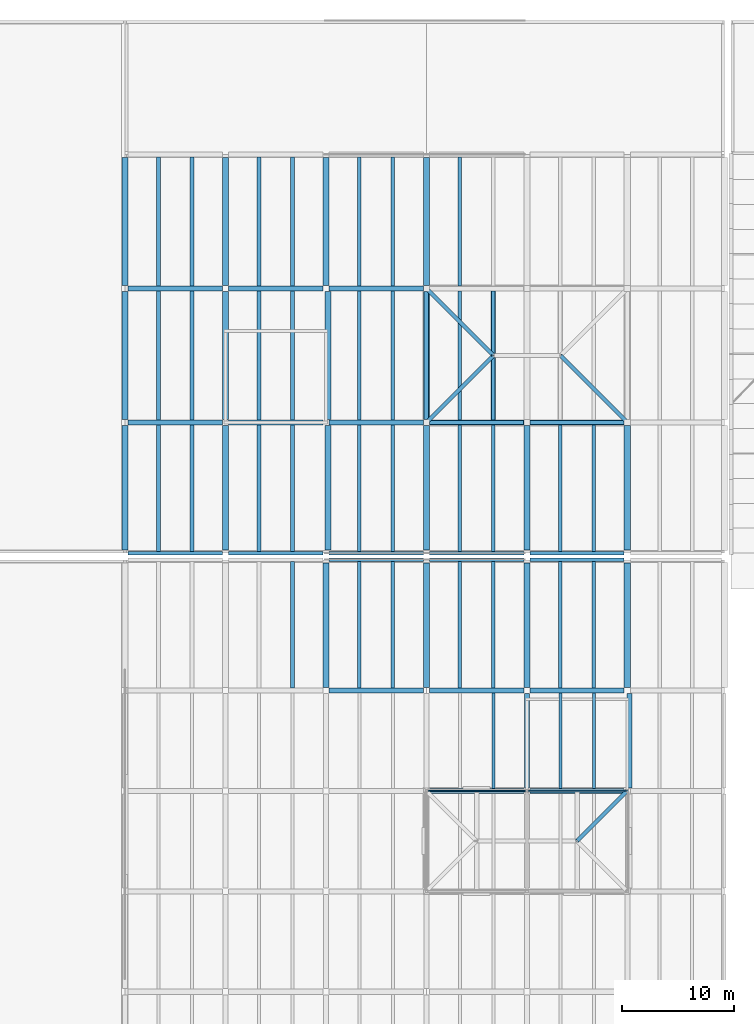
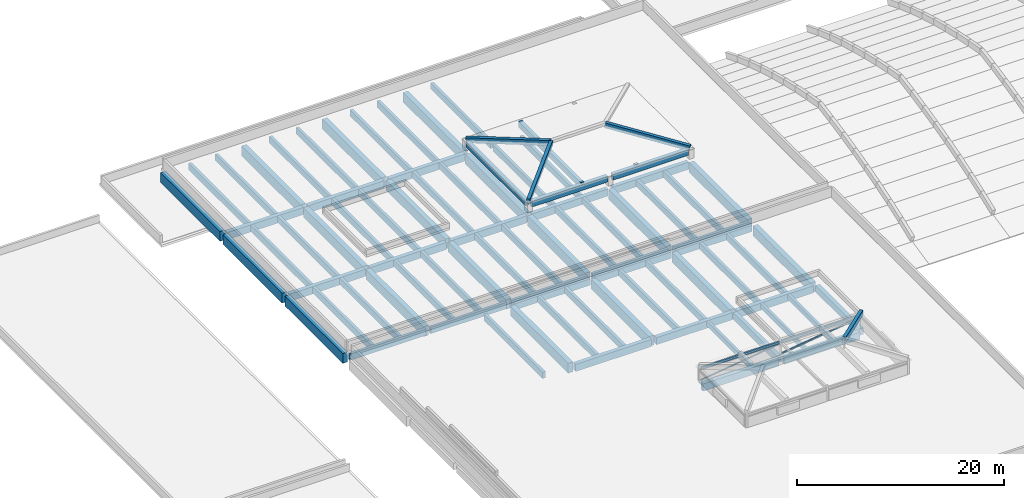
# One storey, part 16 of 56: 86 beams, 2 members.
"""IFC4 building model written with IfcOpenShell, lengths in metres."""

from ifc_helpers import new_model, si_unit, direction, frame, origin, origin_2d, place, context, subcontext, project, spatial, rectangle, hollow_rectangle, i_section, extrude, material, material_profile, profile_set, type_object, element, save


model = new_model("IFC4")

# Units and contexts
model_context = context("Model", 3, precision=1e-05, world=origin(), true_north=direction((0.0, 1.0)))
body_context = subcontext(model_context, "Body", "Model", "MODEL_VIEW")
ifc_project = project(units=[si_unit("LENGTHUNIT", "METRE"), si_unit("AREAUNIT", "SQUARE_METRE"), si_unit("VOLUMEUNIT", "CUBIC_METRE"), si_unit("PLANEANGLEUNIT", "RADIAN"), si_unit("MASSUNIT", "GRAM", prefix="KILO")], contexts=[model_context])

# Site, building, storey
site_placement = place(None, origin())
site = spatial("IfcSite", under=ifc_project, at=site_placement, CompositionType="ELEMENT")
building_placement = place(site_placement, origin())
building = spatial("IfcBuilding", under=site, at=building_placement, Name="Zacnel Wholesale Market", CompositionType="ELEMENT")
storey_placement = place(building_placement, frame((0.0, 0.0, 20.300048828125)))
storey = spatial("IfcBuildingStorey", under=building, at=storey_placement, Name="RF", CompositionType="ELEMENT", Elevation=20.300048828125)

# Beams
ifc_material_1 = material(Name="Concrete C40/50", Category="concrete")
ifc_material_profile_1 = material_profile(ifc_material_1, rectangle(XDim=0.35009765625, YDim=0.60009765625, at=origin_2d()), Name="ARCH RIB 350x600")
ifc_profile_set_1 = profile_set([ifc_material_profile_1], Name="Concrete C40/50")
beam_type_1 = type_object("IfcBeamType", Name="BM-AR600", PredefinedType="USERDEFINED", material=ifc_profile_set_1)
for number, where, z_axis, x_axis, name in (
    (1, (45.0, 108.0, 1.179931640625), (0.700140600607, 0.700140600607, 0.140022422363), (-0.707106781187, 0.707106781187, 0.0), "Hipped crown rib STR-ROOF-V3NLAN-1"),
    (2, (63.0, 108.0, 1.179931640625), (-0.700140600607, 0.700140600607, 0.140022422363), (-0.707106781187, -0.707106781187, 0.0), "Hipped crown rib STR-ROOF-V3NLAN-2"),
    (3, (45.0, 120.0, 1.179931640625), (0.700140600607, -0.700140600607, 0.140022422363), (0.707106781187, 0.707106781187, 0.0), "Hipped crown rib STR-ROOF-V3NLAN-4"),
):
    element("IfcBeam", number, at=place(storey_placement, frame(where, z_axis=z_axis, x_axis=x_axis)), inside=storey, type_object=beam_type_1, Name=name, ObjectType="ARCH RIB", PredefinedType="USERDEFINED", context=body_context, shape_type="SweptSolid", body=[
        extrude(rectangle(XDim=0.35009765625, YDim=0.60009765625, at=origin_2d()), origin(), (0.0, 0.0, 1.0), 8.56982421875),
    ])
beam_1_placement = place(storey_placement, frame((63.0, 75.0, 1.780029296875), z_axis=(-0.696777465186, -0.696777465186, 0.170300698821), x_axis=(0.707106781187, -0.707106781187, 0.0)))
element("IfcBeam", 4, at=beam_1_placement, inside=storey, type_object=beam_type_1, Name="Hipped crown rib STR-ROOF-V3-PENT-3", ObjectType="ARCH RIB", PredefinedType="USERDEFINED", context=body_context, shape_type="SweptSolid", body=[
    extrude(rectangle(XDim=0.35009765625, YDim=0.60009765625, at=origin_2d()), origin(), (0.0, 0.0, 1.0), 6.458251953125),
])
ifc_material_2 = material(Name="Precast concrete C45/55", Category="concrete")
ifc_material_profile_2 = material_profile(ifc_material_2, rectangle(XDim=0.280029296875, YDim=0.60009765625, at=origin_2d()), Name="DT RIB 280x600")
ifc_profile_set_2 = profile_set([ifc_material_profile_2], Name="Precast concrete C45/55")
beam_type_2 = type_object("IfcBeamType", Name="BM-DT600", PredefinedType="JOIST", material=ifc_profile_set_2)
for number, where, z_axis, x_axis, name in (
    (5, (51.0, 75.22509765625, -0.60009765625), (0.0, 1.0, 0.0), (-1.0, 0.0, 0.0), "Precast secondary joist RF-0896"),
    (6, (57.0, 75.22509765625, -0.60009765625), (0.0, 1.0, 0.0), (-1.0, 0.0, 0.0), "Precast secondary joist RF-0897"),
    (7, (60.0, 75.22509765625, -0.60009765625), (0.0, 1.0, 0.0), (-1.0, 0.0, 0.0), "Precast secondary joist RF-0898"),
):
    element("IfcBeam", number, at=place(storey_placement, frame(where, z_axis=z_axis, x_axis=x_axis)), inside=storey, type_object=beam_type_2, Name=name, PredefinedType="JOIST", context=body_context, shape_type="SweptSolid", body=[
        extrude(rectangle(XDim=0.280029296875, YDim=0.60009765625, at=origin_2d()), origin(), (0.0, 0.0, 1.0), 8.5498046875),
    ])
ifc_material_3 = material(Name="Precast concrete C45/55", Category="concrete")
ifc_material_profile_3 = material_profile(ifc_material_3, rectangle(XDim=0.320068359375, YDim=0.75, at=origin_2d()), Name="DT RIB 320x750")
ifc_profile_set_3 = profile_set([ifc_material_profile_3], Name="Precast concrete C45/55")
beam_type_3 = type_object("IfcBeamType", Name="BM-DT750", PredefinedType="JOIST", material=ifc_profile_set_3)
for number, where, z_axis, x_axis, name in (
    (8, (33.0, 84.22509765625, -0.675048828125), (0.0, 1.0, 0.0), (-1.0, 0.0, 0.0), "Precast secondary joist RF-0912"),
    (9, (39.0, 84.22509765625, -0.675048828125), (0.0, 1.0, 0.0), (-1.0, 0.0, 0.0), "Precast secondary joist RF-0913"),
    (10, (42.0, 84.22509765625, -0.675048828125), (0.0, 1.0, 0.0), (-1.0, 0.0, 0.0), "Precast secondary joist RF-0914"),
    (11, (48.0, 84.22509765625, -0.675048828125), (0.0, 1.0, 0.0), (-1.0, 0.0, 0.0), "Precast secondary joist RF-0915"),
    (12, (51.0, 84.22509765625, -0.675048828125), (0.0, 1.0, 0.0), (-1.0, 0.0, 0.0), "Precast secondary joist RF-0916"),
    (13, (57.0, 84.22509765625, -0.675048828125), (0.0, 1.0, 0.0), (-1.0, 0.0, 0.0), "Precast secondary joist RF-0917"),
    (14, (60.0, 84.22509765625, -0.675048828125), (0.0, 1.0, 0.0), (-1.0, 0.0, 0.0), "Precast secondary joist RF-0918"),
    (15, (21.0, 96.449951171875, -0.675048828125), (0.0, 1.0, 0.0), (-1.0, 0.0, 0.0), "Precast secondary joist RF-0929"),
    (16, (24.0, 96.449951171875, -0.675048828125), (0.0, 1.0, 0.0), (-1.0, 0.0, 0.0), "Precast secondary joist RF-0930"),
    (17, (30.0, 96.449951171875, -0.675048828125), (0.0, 1.0, 0.0), (-1.0, 0.0, 0.0), "Precast secondary joist RF-0931"),
    (18, (33.0, 96.449951171875, -0.675048828125), (0.0, 1.0, 0.0), (-1.0, 0.0, 0.0), "Precast secondary joist RF-0932"),
    (19, (39.0, 96.449951171875, -0.675048828125), (0.0, 1.0, 0.0), (-1.0, 0.0, 0.0), "Precast secondary joist RF-0933"),
    (20, (42.0, 96.449951171875, -0.675048828125), (0.0, 1.0, 0.0), (-1.0, 0.0, 0.0), "Precast secondary joist RF-0934"),
    (21, (48.0, 96.449951171875, -0.675048828125), (0.0, 1.0, 0.0), (-1.0, 0.0, 0.0), "Precast secondary joist RF-0935"),
    (22, (51.0, 96.449951171875, -0.675048828125), (0.0, 1.0, 0.0), (-1.0, 0.0, 0.0), "Precast secondary joist RF-0936"),
    (23, (57.0, 96.449951171875, -0.675048828125), (0.0, 1.0, 0.0), (-1.0, 0.0, 0.0), "Precast secondary joist RF-0937"),
    (24, (60.0, 96.449951171875, -0.675048828125), (0.0, 1.0, 0.0), (-1.0, 0.0, 0.0), "Precast secondary joist RF-0938"),
):
    element("IfcBeam", number, at=place(storey_placement, frame(where, z_axis=z_axis, x_axis=x_axis)), inside=storey, type_object=beam_type_3, Name=name, PredefinedType="JOIST", context=body_context, shape_type="SweptSolid", body=[
        extrude(rectangle(XDim=0.320068359375, YDim=0.75, at=origin_2d()), origin(), (0.0, 0.0, 1.0), 11.324951171875),
    ])
for number, where, z_axis, x_axis, name in (
    (25, (21.0, 108.22509765625, -0.675048828125), (0.0, 1.0, 0.0), (-1.0, 0.0, 0.0), "Precast secondary joist RF-0941"),
    (26, (24.0, 108.22509765625, -0.675048828125), (0.0, 1.0, 0.0), (-1.0, 0.0, 0.0), "Precast secondary joist RF-0942"),
    (27, (30.0, 108.22509765625, -0.675048828125), (0.0, 1.0, 0.0), (-1.0, 0.0, 0.0), "Precast secondary joist RF-0943"),
    (28, (33.0, 108.22509765625, -0.675048828125), (0.0, 1.0, 0.0), (-1.0, 0.0, 0.0), "Precast secondary joist RF-0944"),
    (29, (39.0, 108.22509765625, -0.675048828125), (0.0, 1.0, 0.0), (-1.0, 0.0, 0.0), "Precast secondary joist RF-0945"),
    (30, (42.0, 108.22509765625, -0.675048828125), (0.0, 1.0, 0.0), (-1.0, 0.0, 0.0), "Precast secondary joist RF-0946"),
    (31, (48.0, 108.22509765625, -0.675048828125), (0.0, 1.0, 0.0), (-1.0, 0.0, 0.0), "Precast secondary joist RF-0947"),
    (32, (51.0, 108.22509765625, -0.675048828125), (0.0, 1.0, 0.0), (-1.0, 0.0, 0.0), "Precast secondary joist RF-0948"),
    (33, (21.0, 120.22509765625, -0.675048828125), (0.0, 1.0, 0.0), (-1.0, 0.0, 0.0), "Precast secondary joist RF-0953"),
    (34, (24.0, 120.22509765625, -0.675048828125), (0.0, 1.0, 0.0), (-1.0, 0.0, 0.0), "Precast secondary joist RF-0954"),
    (35, (30.0, 120.22509765625, -0.675048828125), (0.0, 1.0, 0.0), (-1.0, 0.0, 0.0), "Precast secondary joist RF-0955"),
    (36, (33.0, 120.22509765625, -0.675048828125), (0.0, 1.0, 0.0), (-1.0, 0.0, 0.0), "Precast secondary joist RF-0956"),
    (37, (39.0, 120.22509765625, -0.675048828125), (0.0, 1.0, 0.0), (-1.0, 0.0, 0.0), "Precast secondary joist RF-0957"),
    (38, (42.0, 120.22509765625, -0.675048828125), (0.0, 1.0, 0.0), (-1.0, 0.0, 0.0), "Precast secondary joist RF-0958"),
    (39, (48.0, 120.22509765625, -0.675048828125), (0.0, 1.0, 0.0), (-1.0, 0.0, 0.0), "Precast secondary joist RF-0959"),
):
    element("IfcBeam", number, at=place(storey_placement, frame(where, z_axis=z_axis, x_axis=x_axis)), inside=storey, type_object=beam_type_3, Name=name, PredefinedType="JOIST", context=body_context, shape_type="SweptSolid", body=[
        extrude(rectangle(XDim=0.320068359375, YDim=0.75, at=origin_2d()), origin(), (0.0, 0.0, 1.0), 11.5498046875),
    ])
ifc_material_4 = material(Name="Precast concrete C45/55", Category="concrete")
ifc_material_profile_4 = material_profile(ifc_material_4, rectangle(XDim=0.550048828125, YDim=1.14990234375, at=origin_2d()), Name="PG 550x1150")
ifc_profile_set_4 = profile_set([ifc_material_profile_4], Name="Precast concrete C45/55")
beam_type_4 = type_object("IfcBeamType", Name="BM-PG1150", PredefinedType="T_BEAM", material=ifc_profile_set_4)
beam_2_placement = place(storey_placement, frame((18.0, 96.574951171875, -0.875), z_axis=(0.0, 1.0, 0.0), x_axis=(-1.0, 0.0, 0.0)))
element("IfcBeam", 40, at=beam_2_placement, inside=storey, type_object=beam_type_4, Name="Precast girder Y-1443", PredefinedType="T_BEAM", context=body_context, shape_type="SweptSolid", body=[
    extrude(rectangle(XDim=0.550048828125, YDim=1.14990234375, at=origin_2d()), origin(), (0.0, 0.0, 1.0), 11.150146484375),
])
for number, where, z_axis, x_axis, name in (
    (41, (18.0, 108.27490234375, -0.875), (0.0, 1.0, 0.0), (-1.0, 0.0, 0.0), "Precast girder Y-1444"),
    (42, (18.0, 120.27490234375, -0.875), (0.0, 1.0, 0.0), (-1.0, 0.0, 0.0), "Precast girder Y-1445"),
):
    element("IfcBeam", number, at=place(storey_placement, frame(where, z_axis=z_axis, x_axis=x_axis)), inside=storey, type_object=beam_type_4, Name=name, PredefinedType="T_BEAM", context=body_context, shape_type="SweptSolid", body=[
        extrude(rectangle(XDim=0.550048828125, YDim=1.14990234375, at=origin_2d()), origin(), (0.0, 0.0, 1.0), 11.4501953125),
    ])
beam_3_placement = place(storey_placement, frame((27.0, 96.574951171875, -0.875), z_axis=(0.0, 1.0, 0.0), x_axis=(-1.0, 0.0, 0.0)))
element("IfcBeam", 43, at=beam_3_placement, inside=storey, type_object=beam_type_4, Name="Precast girder Y-1451", PredefinedType="T_BEAM", context=body_context, shape_type="SweptSolid", body=[
    extrude(rectangle(XDim=0.550048828125, YDim=1.14990234375, at=origin_2d()), origin(), (0.0, 0.0, 1.0), 11.150146484375),
])
for number, where, z_axis, x_axis, name in (
    (44, (27.0, 108.27490234375, -0.875), (0.0, 1.0, 0.0), (-1.0, 0.0, 0.0), "Precast girder Y-1452"),
    (45, (27.0, 120.27490234375, -0.875), (0.0, 1.0, 0.0), (-1.0, 0.0, 0.0), "Precast girder Y-1453"),
):
    element("IfcBeam", number, at=place(storey_placement, frame(where, z_axis=z_axis, x_axis=x_axis)), inside=storey, type_object=beam_type_4, Name=name, PredefinedType="T_BEAM", context=body_context, shape_type="SweptSolid", body=[
        extrude(rectangle(XDim=0.550048828125, YDim=1.14990234375, at=origin_2d()), origin(), (0.0, 0.0, 1.0), 11.4501953125),
    ])
for number, where, z_axis, x_axis, name in (
    (46, (36.0, 84.27490234375, -0.875), (0.0, 1.0, 0.0), (-1.0, 0.0, 0.0), "Precast girder Y-1458"),
    (47, (36.179931640625, 96.574951171875, -0.875), (0.0, 1.0, 0.0), (-1.0, 0.0, 0.0), "Precast girder Y-1459"),
):
    element("IfcBeam", number, at=place(storey_placement, frame(where, z_axis=z_axis, x_axis=x_axis)), inside=storey, type_object=beam_type_4, Name=name, PredefinedType="T_BEAM", context=body_context, shape_type="SweptSolid", body=[
        extrude(rectangle(XDim=0.550048828125, YDim=1.14990234375, at=origin_2d()), origin(), (0.0, 0.0, 1.0), 11.150146484375),
    ])
for number, where, z_axis, x_axis, name in (
    (48, (36.179931640625, 108.27490234375, -0.875), (0.0, 1.0, 0.0), (-1.0, 0.0, 0.0), "Precast girder Y-1460"),
    (49, (36.0, 120.27490234375, -0.875), (0.0, 1.0, 0.0), (-1.0, 0.0, 0.0), "Precast girder Y-1461"),
):
    element("IfcBeam", number, at=place(storey_placement, frame(where, z_axis=z_axis, x_axis=x_axis)), inside=storey, type_object=beam_type_4, Name=name, PredefinedType="T_BEAM", context=body_context, shape_type="SweptSolid", body=[
        extrude(rectangle(XDim=0.550048828125, YDim=1.14990234375, at=origin_2d()), origin(), (0.0, 0.0, 1.0), 11.4501953125),
    ])
for number, where, z_axis, x_axis, name in (
    (50, (45.0, 84.27490234375, -0.875), (0.0, 1.0, 0.0), (-1.0, 0.0, 0.0), "Precast girder Y-1466"),
    (51, (45.0, 96.574951171875, -0.875), (0.0, 1.0, 0.0), (-1.0, 0.0, 0.0), "Precast girder Y-1467"),
):
    element("IfcBeam", number, at=place(storey_placement, frame(where, z_axis=z_axis, x_axis=x_axis)), inside=storey, type_object=beam_type_4, Name=name, PredefinedType="T_BEAM", context=body_context, shape_type="SweptSolid", body=[
        extrude(rectangle(XDim=0.550048828125, YDim=1.14990234375, at=origin_2d()), origin(), (0.0, 0.0, 1.0), 11.150146484375),
    ])
for number, where, z_axis, x_axis, name in (
    (52, (45.0, 108.27490234375, -0.875), (0.0, 1.0, 0.0), (-1.0, 0.0, 0.0), "Precast girder Y-1468"),
    (53, (45.0, 120.27490234375, -0.875), (0.0, 1.0, 0.0), (-1.0, 0.0, 0.0), "Precast girder Y-1469"),
):
    element("IfcBeam", number, at=place(storey_placement, frame(where, z_axis=z_axis, x_axis=x_axis)), inside=storey, type_object=beam_type_4, Name=name, PredefinedType="T_BEAM", context=body_context, shape_type="SweptSolid", body=[
        extrude(rectangle(XDim=0.550048828125, YDim=1.14990234375, at=origin_2d()), origin(), (0.0, 0.0, 1.0), 11.4501953125),
    ])
for number, where, z_axis, x_axis, name in (
    (54, (54.0, 84.27490234375, -0.875), (0.0, 1.0, 0.0), (-1.0, 0.0, 0.0), "Precast girder Y-1474"),
    (55, (54.0, 96.574951171875, -0.875), (0.0, 1.0, 0.0), (-1.0, 0.0, 0.0), "Precast girder Y-1475"),
    (56, (63.0, 84.27490234375, -0.875), (0.0, 1.0, 0.0), (-1.0, 0.0, 0.0), "Precast girder Y-1482"),
    (57, (63.0, 96.574951171875, -0.875), (0.0, 1.0, 0.0), (-1.0, 0.0, 0.0), "Precast girder Y-1483"),
):
    element("IfcBeam", number, at=place(storey_placement, frame(where, z_axis=z_axis, x_axis=x_axis)), inside=storey, type_object=beam_type_4, Name=name, PredefinedType="T_BEAM", context=body_context, shape_type="SweptSolid", body=[
        extrude(rectangle(XDim=0.550048828125, YDim=1.14990234375, at=origin_2d()), origin(), (0.0, 0.0, 1.0), 11.150146484375),
    ])
ifc_material_5 = material(Name="Precast concrete C45/55", Category="concrete")
ifc_material_profile_5 = material_profile(ifc_material_5, rectangle(XDim=0.39990234375, YDim=0.699951171875, at=origin_2d()), Name="PG 400x700")
ifc_profile_set_5 = profile_set([ifc_material_profile_5], Name="Precast concrete C45/55")
beam_type_5 = type_object("IfcBeamType", Name="BM-PG700", PredefinedType="BEAM", material=ifc_profile_set_5)
for number, where, z_axis, x_axis, name in (
    (58, (45.280029296875, 108.0, 0.849853515625), (1.0, 0.0, 0.0), (0.0, 1.0, 0.0), "Attic crown girder X V3NLAN-01"),
    (59, (54.280029296875, 108.0, 0.849853515625), (1.0, 0.0, 0.0), (0.0, 1.0, 0.0), "Attic crown girder X V3NLAN-02"),
):
    element("IfcBeam", number, at=place(storey_placement, frame(where, z_axis=z_axis, x_axis=x_axis)), inside=storey, type_object=beam_type_5, Name=name, PredefinedType="BEAM", context=body_context, shape_type="SweptSolid", body=[
        extrude(rectangle(XDim=0.39990234375, YDim=0.699951171875, at=origin_2d()), origin(), (0.0, 0.0, 1.0), 8.43994140625),
    ])
beam_4_placement = place(storey_placement, frame((45.0, 108.280029296875, 0.849853515625), z_axis=(0.0, 1.0, 0.0), x_axis=(-1.0, 0.0, 0.0)))
element("IfcBeam", 60, at=beam_4_placement, inside=storey, type_object=beam_type_5, Name="Attic crown girder Y V3NLAN-05", PredefinedType="BEAM", context=body_context, shape_type="SweptSolid", body=[
    extrude(rectangle(XDim=0.39990234375, YDim=0.699951171875, at=origin_2d()), origin(), (0.0, 0.0, 1.0), 11.43994140625),
])
beam_5_placement = place(storey_placement, frame((51.0, 108.0, 0.949951171875), z_axis=(0.0, 1.0, 0.0), x_axis=(-1.0, 0.0, 0.0)))
element("IfcBeam", 61, at=beam_5_placement, inside=storey, type_object=beam_type_5, Name="Hipped crown tie beam STR-ROOF-V3NLAN-1", PredefinedType="BEAM", context=body_context, shape_type="SweptSolid", body=[
    extrude(rectangle(XDim=0.39990234375, YDim=0.699951171875, at=origin_2d()), origin(), (0.0, 0.0, 1.0), 12.0),
])
ifc_material_6 = material(Name="Precast concrete C45/55", Category="concrete")
ifc_material_profile_6 = material_profile(ifc_material_6, rectangle(XDim=0.449951171875, YDim=0.800048828125, at=origin_2d()), Name="PG 450x800")
ifc_profile_set_6 = profile_set([ifc_material_profile_6], Name="Precast concrete C45/55")
beam_type_6 = type_object("IfcBeamType", Name="BM-PG800", PredefinedType="BEAM", material=ifc_profile_set_6)
for number, where, z_axis, x_axis, name in (
    (62, (54.0, 75.27490234375, -0.699951171875), (0.0, 1.0, 0.0), (-1.0, 0.0, 0.0), "Precast girder Y-1473"),
    (63, (63.179931640625, 75.27490234375, -0.699951171875), (0.0, 1.0, 0.0), (-1.0, 0.0, 0.0), "Precast girder Y-1481"),
):
    element("IfcBeam", number, at=place(storey_placement, frame(where, z_axis=z_axis, x_axis=x_axis)), inside=storey, type_object=beam_type_6, Name=name, PredefinedType="BEAM", context=body_context, shape_type="SweptSolid", body=[
        extrude(rectangle(XDim=0.449951171875, YDim=0.800048828125, at=origin_2d()), origin(), (0.0, 0.0, 1.0), 8.4501953125),
    ])
ifc_material_7 = material(Name="Precast concrete C45/55", Category="concrete")
ifc_material_profile_7 = material_profile(ifc_material_7, rectangle(XDim=0.449951171875, YDim=0.85009765625, at=origin_2d()), Name="PG 450x850")
ifc_profile_set_7 = profile_set([ifc_material_profile_7], Name="Precast concrete C45/55")
beam_type_7 = type_object("IfcBeamType", Name="BM-PG850", PredefinedType="BEAM", material=ifc_profile_set_7)
for number, where, z_axis, x_axis, name in (
    (64, (45.27490234375, 75.0, -0.72509765625), (1.0, 0.0, 0.0), (0.0, 1.0, 0.0), "Precast girder X-1387"),
    (65, (54.27490234375, 75.0, -0.72509765625), (1.0, 0.0, 0.0), (0.0, 1.0, 0.0), "Precast girder X-1388"),
    (66, (36.27490234375, 84.0, -0.72509765625), (1.0, 0.0, 0.0), (0.0, 1.0, 0.0), "Precast girder X-1396"),
    (67, (45.27490234375, 84.0, -0.72509765625), (1.0, 0.0, 0.0), (0.0, 1.0, 0.0), "Precast girder X-1397"),
    (68, (54.27490234375, 84.0, -0.72509765625), (1.0, 0.0, 0.0), (0.0, 1.0, 0.0), "Precast girder X-1398"),
    (69, (18.27490234375, 108.0, -0.72509765625), (1.0, 0.0, 0.0), (0.0, 1.0, 0.0), "Precast girder X-1420"),
    (70, (27.27490234375, 108.0, -0.72509765625), (1.0, 0.0, 0.0), (0.0, 1.0, 0.0), "Precast girder X-1421"),
    (71, (36.27490234375, 108.0, -0.72509765625), (1.0, 0.0, 0.0), (0.0, 1.0, 0.0), "Precast girder X-1422"),
    (72, (45.27490234375, 108.0, -0.72509765625), (1.0, 0.0, 0.0), (0.0, 1.0, 0.0), "Precast girder X-1423"),
    (73, (54.27490234375, 108.0, -0.72509765625), (1.0, 0.0, 0.0), (0.0, 1.0, 0.0), "Precast girder X-1424"),
    (74, (18.27490234375, 120.0, -0.72509765625), (1.0, 0.0, 0.0), (0.0, 1.0, 0.0), "Precast girder X-1426"),
    (75, (27.27490234375, 120.0, -0.72509765625), (1.0, 0.0, 0.0), (0.0, 1.0, 0.0), "Precast girder X-1427"),
    (76, (36.27490234375, 120.0, -0.72509765625), (1.0, 0.0, 0.0), (0.0, 1.0, 0.0), "Precast girder X-1428"),
):
    element("IfcBeam", number, at=place(storey_placement, frame(where, z_axis=z_axis, x_axis=x_axis)), inside=storey, type_object=beam_type_7, Name=name, PredefinedType="BEAM", context=body_context, shape_type="SweptSolid", body=[
        extrude(rectangle(XDim=0.449951171875, YDim=0.85009765625, at=origin_2d()), origin(), (0.0, 0.0, 1.0), 8.4501953125),
    ])
ifc_material_8 = material(Name="Precast concrete C45/55", Category="concrete")
ifc_material_profile_8 = material_profile(ifc_material_8, rectangle(XDim=0.300048828125, YDim=0.75, at=origin_2d()), Name="SP 300x750")
ifc_profile_set_8 = profile_set([ifc_material_profile_8], Name="Precast concrete C45/55")
beam_type_8 = type_object("IfcBeamType", Name="BM-SP750", PredefinedType="SPANDREL", material=ifc_profile_set_8)
for number, where, z_axis, x_axis, name in (
    (77, (36.27490234375, 95.699951171875, -0.675048828125), (1.0, 0.0, 0.0), (0.0, 1.0, 0.0), "Precast girder X-1406"),
    (78, (45.27490234375, 95.699951171875, -0.675048828125), (1.0, 0.0, 0.0), (0.0, 1.0, 0.0), "Precast girder X-1407"),
    (79, (54.27490234375, 95.699951171875, -0.675048828125), (1.0, 0.0, 0.0), (0.0, 1.0, 0.0), "Precast girder X-1408"),
    (80, (18.27490234375, 96.300048828125, -0.675048828125), (1.0, 0.0, 0.0), (0.0, 1.0, 0.0), "Precast girder X-1414"),
    (81, (27.27490234375, 96.300048828125, -0.675048828125), (1.0, 0.0, 0.0), (0.0, 1.0, 0.0), "Precast girder X-1415"),
    (82, (36.27490234375, 96.300048828125, -0.675048828125), (1.0, 0.0, 0.0), (0.0, 1.0, 0.0), "Precast girder X-1416"),
    (83, (45.27490234375, 96.300048828125, -0.675048828125), (1.0, 0.0, 0.0), (0.0, 1.0, 0.0), "Precast girder X-1417"),
    (84, (54.27490234375, 96.300048828125, -0.675048828125), (1.0, 0.0, 0.0), (0.0, 1.0, 0.0), "Precast girder X-1418"),
):
    element("IfcBeam", number, at=place(storey_placement, frame(where, z_axis=z_axis, x_axis=x_axis)), inside=storey, type_object=beam_type_8, Name=name, PredefinedType="SPANDREL", context=body_context, shape_type="SweptSolid", body=[
        extrude(rectangle(XDim=0.300048828125, YDim=0.75, at=origin_2d()), origin(), (0.0, 0.0, 1.0), 8.4501953125),
    ])
ifc_material_9 = material(Name="Steel S355", Category="steel")
ifc_material_profile_9 = material_profile(ifc_material_9, i_section(OverallWidth=0.166015625, OverallDepth=0.31298828125, WebThickness=0.006591796875, FlangeThickness=0.01123046875, FilletRadius=0.010009765625, at=origin_2d()), Name="W310X44.5")
ifc_profile_set_9 = profile_set([ifc_material_profile_9], Name="Steel S355")
beam_type_9 = type_object("IfcBeamType", Name="BM-STL-W310", PredefinedType="BEAM", material=ifc_profile_set_9)
for number, where, z_axis, x_axis, name in (
    (85, (45.090087890625, 75.0, 1.4599609375), (1.0, 0.0, 0.0), (0.0, 1.0, 0.0), "Refrigeration penthouse beam 03"),
    (86, (54.090087890625, 75.0, 1.4599609375), (1.0, 0.0, 0.0), (0.0, 1.0, 0.0), "Refrigeration penthouse beam 04"),
):
    element("IfcBeam", number, at=place(storey_placement, frame(where, z_axis=z_axis, x_axis=x_axis)), inside=storey, type_object=beam_type_9, Name=name, PredefinedType="BEAM", context=body_context, shape_type="SweptSolid", body=[
        extrude(i_section(OverallWidth=0.166015625, OverallDepth=0.31298828125, WebThickness=0.006591796875, FlangeThickness=0.01123046875, FilletRadius=0.010009765625, at=origin_2d()), origin(), (0.0, 0.0, 1.0), 8.81982421875),
    ])

# Members
ifc_material_10 = material(Name="Steel S355", Category="steel")
ifc_material_profile_10 = material_profile(ifc_material_10, hollow_rectangle(XDim=0.10009765625, YDim=0.14990234375, WallThickness=0.008056640625, InnerFilletRadius=0.008056640625, OuterFilletRadius=0.01611328125, at=origin_2d()), Name="HSS 150x100x8")
ifc_profile_set_10 = profile_set([ifc_material_profile_10], Name="Steel S355")
member_type_1 = type_object("IfcMemberType", Name="MEM-STR-HSS150", PredefinedType="STRUT", material=ifc_profile_set_10)
member_1_placement = place(storey_placement, frame((45.10009765625, 75.0, 0.079833984375), z_axis=(0.990826822178, 0.0, 0.135137738814), x_axis=(0.0, 1.0, 0.0)))
element("IfcMember", 87, at=member_1_placement, inside=storey, type_object=member_type_1, Name="Refrigeration penthouse brace 05", PredefinedType="STRUT", context=body_context, shape_type="SweptSolid", body=[
    extrude(hollow_rectangle(XDim=0.10009765625, YDim=0.14990234375, WallThickness=0.008056640625, InnerFilletRadius=0.008056640625, OuterFilletRadius=0.01611328125, at=origin_2d()), origin(), (0.0, 0.0, 1.0), 8.88134765625),
])
ifc_material_11 = material(Name="Steel S355", Category="steel")
ifc_material_profile_11 = material_profile(ifc_material_11, hollow_rectangle(XDim=0.1201171875, YDim=0.179931640625, WallThickness=0.008056640625, InnerFilletRadius=0.008056640625, OuterFilletRadius=0.01611328125, at=origin_2d()), Name="HSS 180x120x8")
ifc_profile_set_11 = profile_set([ifc_material_profile_11], Name="Steel S355")
member_type_2 = type_object("IfcMemberType", Name="MEM-STR-HSS180", PredefinedType="STRUT", material=ifc_profile_set_11)
member_2_placement = place(storey_placement, frame((54.10009765625, 75.0, 0.079833984375), z_axis=(0.990826822178, 0.0, 0.135137738814), x_axis=(0.0, 1.0, 0.0)))
element("IfcMember", 88, at=member_2_placement, inside=storey, type_object=member_type_2, Name="Refrigeration penthouse brace 02", PredefinedType="STRUT", context=body_context, shape_type="SweptSolid", body=[
    extrude(hollow_rectangle(XDim=0.1201171875, YDim=0.179931640625, WallThickness=0.008056640625, InnerFilletRadius=0.008056640625, OuterFilletRadius=0.01611328125, at=origin_2d()), origin(), (0.0, 0.0, 1.0), 8.88134765625),
])

save(model, "model.ifc")
